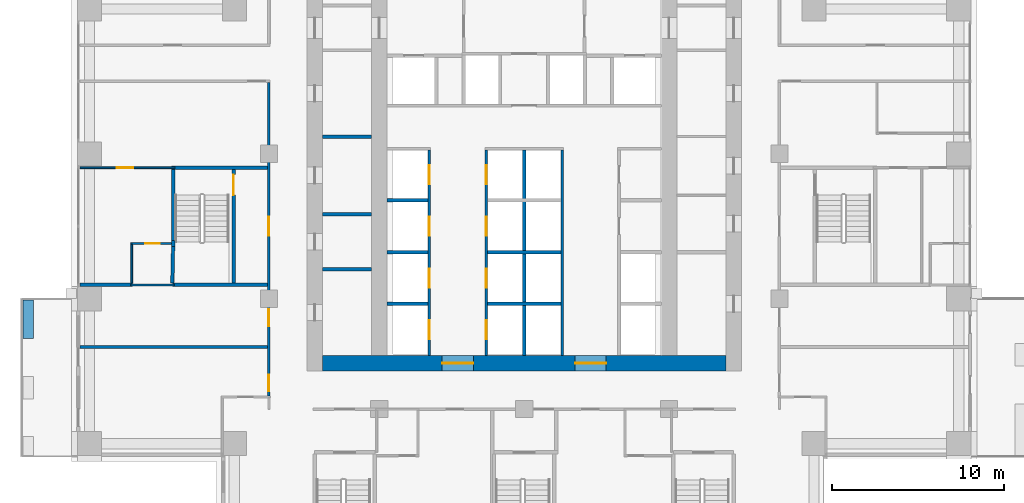
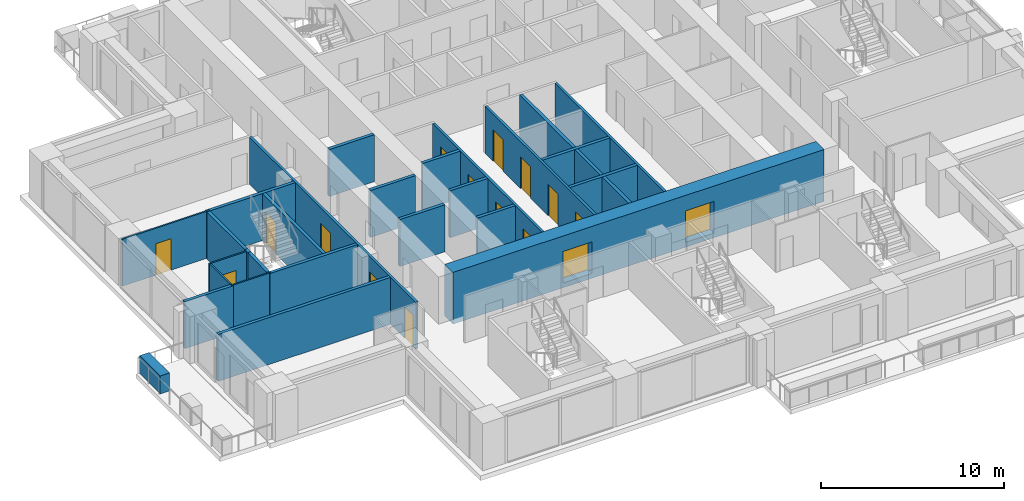
# One storey, part 9 of 17: 27 walls, 16 doors, 16 openings.
"""IFC4 building model written with IfcOpenShell, lengths in metres."""

import ifcopenshell
import ifcopenshell.guid

model = None  # the IFC model being written
_history = None  # IfcOwnerHistory: only IFC2X3 demands one
_inside = {}  # id of a spatial element -> (the spatial element, [elements in it])
_under = {}  # id of a project, library or spatial element -> (it, [spatial elements below it])
_declared = {}  # id of a project -> (the project, [libraries it declares])
_typed = {}  # id of a type object -> (the type object, [elements of that type])
_made_of = {}  # id of a material, layer set ... -> (it, [elements and type objects made of it])


def new_model(schema):
    """Start an empty IFC model of exactly this schema.

    Asked for "IFC4X3", IfcOpenShell would pick the latest addendum, in which some entities
    have other attributes; the version numbers below select the first issue.
    IFC2X3 requires an IfcOwnerHistory on every rooted entity: one is made here for all.
    """
    global model, _history
    if schema == "IFC4X3":
        model = ifcopenshell.file(schema_version=(4, 3, 0, 0))
    else:
        model = ifcopenshell.file(schema=schema)
    _inside.clear()
    _under.clear()
    _declared.clear()
    _typed.clear()
    _made_of.clear()
    _history = None
    if model.schema == "IFC2X3":
        org = make("IfcOrganization", Name="unknown")
        user = make(
            "IfcPersonAndOrganization",
            ThePerson=make("IfcPerson", FamilyName="unknown"),
            TheOrganization=org,
        )
        app = make(
            "IfcApplication",
            ApplicationDeveloper=org,
            Version="unknown",
            ApplicationFullName="unknown",
            ApplicationIdentifier="unknown",
        )
        _history = make(
            "IfcOwnerHistory",
            OwningUser=user,
            OwningApplication=app,
            ChangeAction="ADDED",
            CreationDate=0,
        )
    return model


def make(cls, **values):
    """One entity of the class cls with the attributes given. An attribute that is None is left unset."""
    return model.create_entity(
        cls, **{name: value for name, value in values.items() if value is not None}
    )


def rooted(cls, **values):
    """An entity with a GlobalId (a new one), such as an element, a storey or a relation."""
    return make(cls, GlobalId=ifcopenshell.guid.new(), OwnerHistory=_history, **values)


def si_unit(unit_type, name, prefix=None):
    """IfcSIUnit, for example si_unit("LENGTHUNIT", "METRE", prefix="MILLI")."""
    return make("IfcSIUnit", UnitType=unit_type, Prefix=prefix, Name=name)


def assignment(units):
    """IfcUnitAssignment: the units of a project."""
    return None if units is None else make("IfcUnitAssignment", Units=units)


def point(xyz):
    """IfcCartesianPoint."""
    return None if xyz is None else make("IfcCartesianPoint", Coordinates=xyz)


def direction(xyz):
    """IfcDirection."""
    return None if xyz is None else make("IfcDirection", DirectionRatios=xyz)


def frame(location, z_axis=None, x_axis=None):
    """IfcAxis2Placement3D, a coordinate frame: its origin and axes. An axis left out is left unset."""
    return make(
        "IfcAxis2Placement3D",
        Location=point(location),
        Axis=direction(z_axis),
        RefDirection=direction(x_axis),
    )


def frame_2d(location, x_axis=None):
    """IfcAxis2Placement2D, a coordinate frame in the plane: its origin and x axis."""
    return make(
        "IfcAxis2Placement2D", Location=point(location), RefDirection=direction(x_axis)
    )


def origin():
    """The frame at (0, 0, 0) with its axes left unset."""
    return frame((0.0, 0.0, 0.0))


def place(relative_to, where):
    """IfcLocalPlacement: puts the frame where relative to a parent placement (None: the world)."""
    return make(
        "IfcLocalPlacement", PlacementRelTo=relative_to, RelativePlacement=where
    )


def context(
    kind, dimensions, precision=None, world=None, true_north=None, identifier=None
):
    """IfcGeometricRepresentationContext, for example the 3D "Model" context."""
    return make(
        "IfcGeometricRepresentationContext",
        ContextIdentifier=identifier,
        ContextType=kind,
        CoordinateSpaceDimension=dimensions,
        Precision=precision,
        WorldCoordinateSystem=world,
        TrueNorth=true_north,
    )


def subcontext(parent, identifier, kind, view, scale=None):
    """IfcGeometricRepresentationSubContext, for example "Body" below "Model"."""
    return make(
        "IfcGeometricRepresentationSubContext",
        ContextIdentifier=identifier,
        ContextType=kind,
        ParentContext=parent,
        TargetScale=scale,
        TargetView=view,
    )


def project(units=None, contexts=None):
    """IfcProject with its units and contexts."""
    return rooted(
        "IfcProject",
        Name="project",
        RepresentationContexts=contexts,
        UnitsInContext=assignment(units),
    )


def spatial(cls, under=None, at=None, **own):
    """A site, building, storey or space (cls), placed at a placement, below another one or the project."""
    s = rooted(cls, ObjectPlacement=at, **own)
    if under is not None:
        _under.setdefault(under.id(), (under, []))[1].append(s)
    return s


def profile(cls, at=None, kind="AREA", **sizes):
    """A parametric profile (cls). Its sizes go by their IFC names, for example OverallWidth=200.0."""
    return make(cls, ProfileType=kind, Position=at, **sizes)


def rectangle(**sizes):
    """IfcRectangleProfileDef."""
    return profile("IfcRectangleProfileDef", **sizes)


def extrude(swept, where, along, depth):
    """IfcExtrudedAreaSolid: the profile swept, set in the frame where, extruded along a direction by depth."""
    return make(
        "IfcExtrudedAreaSolid",
        SweptArea=swept,
        Position=where,
        ExtrudedDirection=direction(along),
        Depth=depth,
    )


def shape(context_of_items, identifier, shape_type, items):
    """IfcShapeRepresentation: the items that make up one representation, for example the "Body"."""
    return make(
        "IfcShapeRepresentation",
        ContextOfItems=context_of_items,
        RepresentationIdentifier=identifier,
        RepresentationType=shape_type,
        Items=items,
    )


def material(Name=None, Category=None):
    """IfcMaterial."""
    return make("IfcMaterial", Name=Name, Category=Category)


def layer(
    of_material, thickness, ventilated=None, Name=None, Category=None, Priority=None
):
    """IfcMaterialLayer: one layer of a wall or slab, of a material (None: an air gap)."""
    return make(
        "IfcMaterialLayer",
        Material=of_material,
        LayerThickness=thickness,
        IsVentilated=ventilated,
        Name=Name,
        Category=Category,
        Priority=Priority,
    )


def layer_set(layers, Name=None):
    """IfcMaterialLayerSet."""
    return make("IfcMaterialLayerSet", MaterialLayers=layers, LayerSetName=Name)


def made_of(thing, what):
    """Note that an element or type object is made of a material, layer set ...; save() writes the relation."""
    if what is not None:
        _made_of.setdefault(what.id(), (what, []))[1].append(thing)
    return thing


def type_object(cls, material=None, **own):
    """A type object (cls), such as IfcWallType, which elements share."""
    return made_of(rooted(cls, **own), material)


def element(
    cls,
    number,
    at=None,
    inside=None,
    cuts=None,
    type_object=None,
    material=None,
    context=None,
    identifier="Body",
    shape_type=None,
    held_by="IfcProductDefinitionShape",
    body=None,
    shapes=None,
    **own,
):
    """One element of the class cls, such as IfcWall. Its Tag is "e" and its number.

    at: its placement. inside: the storey or other place that contains it. cuts: it is an
    opening in that element (IfcRelVoidsElement). A single representation is given by context,
    identifier, shape_type and body (its items); several are given by shapes. held_by: the class
    of the entity that holds the representations. save() writes the other relations.
    """
    e = rooted(cls, Tag="e%d" % number, ObjectPlacement=at, **own)
    if body is not None:
        shapes = [shape(context, identifier, shape_type, body)]
    if shapes is not None:
        e.Representation = make(held_by, Representations=shapes)
    if inside is not None:
        _inside.setdefault(inside.id(), (inside, []))[1].append(e)
    if cuts is not None:
        rooted(
            "IfcRelVoidsElement", RelatingBuildingElement=cuts, RelatedOpeningElement=e
        )
    if type_object is not None:
        _typed.setdefault(type_object.id(), (type_object, []))[1].append(e)
    return made_of(e, material)


def fill(opening, filler):
    """IfcRelFillsElement: the door or window that sits in an opening."""
    return rooted(
        "IfcRelFillsElement",
        RelatingOpeningElement=opening,
        RelatedBuildingElement=filler,
    )


def aggregate(whole, parts):
    """IfcRelAggregates: a whole, such as a stair, and the parts it consists of."""
    return rooted("IfcRelAggregates", RelatingObject=whole, RelatedObjects=parts)


def save(model, path):
    """Write the relations noted so far, then the file.

    IfcRelAggregates (storeys below a building ...), IfcRelContainedInSpatialStructure (elements
    in a storey), IfcRelDefinesByType, IfcRelAssociatesMaterial and IfcRelDeclares: one each for
    every whole, place, type object, material and project.
    """
    for whole, parts in _under.values():
        aggregate(whole, parts)
    for where, things in _inside.values():
        rooted(
            "IfcRelContainedInSpatialStructure",
            RelatedElements=things,
            RelatingStructure=where,
        )
    for kind, things in _typed.values():
        rooted("IfcRelDefinesByType", RelatedObjects=things, RelatingType=kind)
    for what, things in _made_of.values():
        rooted("IfcRelAssociatesMaterial", RelatedObjects=things, RelatingMaterial=what)
    for by, libraries in _declared.values():
        rooted("IfcRelDeclares", RelatingContext=by, RelatedDefinitions=libraries)
    model.write(path)


model = new_model("IFC4")

# Units and contexts
model_context = context("Model", 3, precision=1e-05, world=origin(), true_north=direction((0.0, 1.0)))
body_context = subcontext(model_context, "Body", "Model", "MODEL_VIEW")
ifc_project = project(units=[si_unit("LENGTHUNIT", "METRE"), si_unit("AREAUNIT", "SQUARE_METRE"), si_unit("VOLUMEUNIT", "CUBIC_METRE"), si_unit("PLANEANGLEUNIT", "RADIAN"), si_unit("MASSUNIT", "GRAM", prefix="KILO")], contexts=[model_context])

# Site, building, storey
site_placement = place(None, origin())
site = spatial("IfcSite", under=ifc_project, at=site_placement, CompositionType="ELEMENT")
building_placement = place(site_placement, origin())
building = spatial("IfcBuilding", under=site, at=building_placement, Name="Vermilion Ogive Tower", CompositionType="ELEMENT")
storey_placement = place(building_placement, frame((0.0, 0.0, 65.550048828125)))
storey = spatial("IfcBuildingStorey", under=building, at=storey_placement, Name="L15", CompositionType="ELEMENT", Elevation=65.550048828125)

# Wall, openings, doors
ifc_material_1 = material(Name="Concrete B80", Category="concrete")
ifc_layer_1 = layer(ifc_material_1, 0.89990234375)
ifc_layer_set_1 = layer_set([ifc_layer_1], Name="Core wall 900 B80")
wall_type_1 = type_object("IfcWallType", Name="Core wall 900 B80", PredefinedType="SHEAR", material=ifc_layer_set_1)
wall_1_placement = place(storey_placement, frame((-11.699951171875, -7.949951171875, -0.320068359375), z_axis=(0.0, 0.0, 1.0), x_axis=(1.0, 0.0, 0.0)))
wall_1 = element("IfcWall", 1, at=wall_1_placement, inside=storey, type_object=wall_type_1, Name="L15-CORE-S", PredefinedType="SHEAR", context=body_context, shape_type="SweptSolid", body=[
    extrude(rectangle(XDim=23.39990234375, YDim=0.89990234375, at=frame_2d((11.699951171875, 0.0))), origin(), (0.0, 0.0, 1.0), 3.449951171875),
])
opening_1_placement = place(wall_1_placement, frame((6.949951171875, 0.0, 0.320068359375)))
opening_1 = element("IfcOpeningElement", 2, at=opening_1_placement, cuts=wall_1, Name="Opening DAH009", PredefinedType="OPENING", context=body_context, shape_type="SweptSolid", body=[
    extrude(rectangle(XDim=1.800048828125, YDim=2.10009765625, at=frame_2d((0.89990234375, 1.050048828125))), frame((0.0, 0.4599609375, 0.0), z_axis=(0.0, -1.0, 0.0), x_axis=(1.0, 0.0, 0.0)), (0.0, 0.0, 1.0), 0.919921875),
])
opening_2_placement = place(wall_1_placement, frame((14.64990234375, 0.0, 0.320068359375)))
opening_2 = element("IfcOpeningElement", 3, at=opening_2_placement, cuts=wall_1, Name="Opening DAH010", PredefinedType="OPENING", context=body_context, shape_type="SweptSolid", body=[
    extrude(rectangle(XDim=1.800048828125, YDim=2.10009765625, at=frame_2d((0.89990234375, 1.050048828125))), frame((0.0, 0.4599609375, 0.0), z_axis=(0.0, -1.0, 0.0), x_axis=(1.0, 0.0, 0.0)), (0.0, 0.0, 1.0), 0.919921875),
])
ifc_material_2 = material(Name="Timber door leaf", Category="wood")
door_type_1 = type_object("IfcDoorType", Name="Core entry door 1800 x 2100 FD60S", OperationType="DOUBLE_DOOR_SINGLE_SWING", PredefinedType="DOOR", material=ifc_material_2)
door_1_placement = place(opening_1_placement, origin())
door_1 = element("IfcDoor", 4, at=door_1_placement, inside=storey, type_object=door_type_1, Name="L15-CK-XD1", OperationType="SINGLE_SWING_LEFT", OverallHeight=2.10009765625, OverallWidth=1.800048828125, PredefinedType="DOOR", context=body_context, shape_type="SweptSolid", body=[
    extrude(rectangle(XDim=1.800048828125, YDim=2.10009765625, at=frame_2d((0.89990234375, 1.050048828125))), frame((0.0, 0.02490234375, 0.0), z_axis=(0.0, -1.0, 0.0), x_axis=(1.0, 0.0, 0.0)), (0.0, 0.0, 1.0), 0.050048828125),
])
fill(opening_1, door_1)
door_2_placement = place(opening_2_placement, origin())
door_2 = element("IfcDoor", 5, at=door_2_placement, inside=storey, type_object=door_type_1, Name="L15-CK-XD2", OperationType="SINGLE_SWING_LEFT", OverallHeight=2.10009765625, OverallWidth=1.800048828125, PredefinedType="DOOR", context=body_context, shape_type="SweptSolid", body=[
    extrude(rectangle(XDim=1.800048828125, YDim=2.10009765625, at=frame_2d((0.89990234375, 1.050048828125))), frame((0.0, 0.02490234375, 0.0), z_axis=(0.0, -1.0, 0.0), x_axis=(1.0, 0.0, 0.0)), (0.0, 0.0, 1.0), 0.050048828125),
])
fill(opening_2, door_2)

# Wall
ifc_material_3 = material(Name="Gypsum board partition on steel studs", Category="steel")
ifc_layer_2 = layer(ifc_material_3, 0.10009765625)
ifc_layer_set_2 = layer_set([ifc_layer_2], Name="Partition 100 bath")
wall_type_2 = type_object("IfcWallType", Name="Partition 100 bath", PredefinedType="PARTITIONING", material=ifc_layer_set_2)
wall_2_placement = place(storey_placement, frame((-22.800048828125, -3.39990234375, 0.0), z_axis=(0.0, 0.0, 1.0), x_axis=(1.0, 0.0, 0.0)))
element("IfcWall", 6, at=wall_2_placement, inside=storey, type_object=wall_type_2, Name="L15-W-W017", PredefinedType="PARTITIONING", context=body_context, shape_type="SweptSolid", body=[
    extrude(rectangle(XDim=2.5, YDim=0.10009765625, at=frame_2d((1.25, 0.0))), origin(), (0.0, 0.0, 1.0), 3.1298828125),
])

# Wall, opening, door
wall_3_placement = place(storey_placement, frame((-22.800048828125, -1.0, 0.0), z_axis=(0.0, 0.0, 1.0), x_axis=(1.0, 0.0, 0.0)))
wall_3 = element("IfcWall", 7, at=wall_3_placement, inside=storey, type_object=wall_type_2, Name="L15-W-W021", PredefinedType="PARTITIONING", context=body_context, shape_type="SweptSolid", body=[
    extrude(rectangle(XDim=2.35009765625, YDim=0.10009765625, at=frame_2d((1.175048828125, 0.0))), origin(), (0.0, 0.0, 1.0), 3.1298828125),
])
opening_3_placement = place(wall_3_placement, frame((0.824951171875, 0.0, 0.0)))
opening_3 = element("IfcOpeningElement", 8, at=opening_3_placement, cuts=wall_3, Name="Opening D1G5005", PredefinedType="OPENING", context=body_context, shape_type="SweptSolid", body=[
    extrude(rectangle(XDim=0.85009765625, YDim=2.10009765625, at=frame_2d((0.425048828125, 1.050048828125))), frame((0.0, 0.06005859375, 0.0), z_axis=(0.0, -1.0, 0.0), x_axis=(1.0, 0.0, 0.0)), (0.0, 0.0, 1.0), 0.1201171875),
])
ifc_material_4 = material(Name="Timber door leaf", Category="wood")
door_type_2 = type_object("IfcDoorType", Name="Bath door 850 x 2100 FD30", OperationType="SINGLE_SWING_LEFT", PredefinedType="DOOR", material=ifc_material_4)
door_3_placement = place(opening_3_placement, origin())
door_3 = element("IfcDoor", 9, at=door_3_placement, inside=storey, type_object=door_type_2, Name="L15-D-D005", OperationType="SINGLE_SWING_RIGHT", OverallHeight=2.10009765625, OverallWidth=0.85009765625, PredefinedType="DOOR", context=body_context, shape_type="SweptSolid", body=[
    extrude(rectangle(XDim=0.85009765625, YDim=2.10009765625, at=frame_2d((0.425048828125, 1.050048828125))), frame((0.0, 0.02490234375, 0.0), z_axis=(0.0, -1.0, 0.0), x_axis=(1.0, 0.0, 0.0)), (0.0, 0.0, 1.0), 0.050048828125),
])
fill(opening_3, door_3)

# Wall
wall_4_placement = place(storey_placement, frame((-22.75, -3.300048828125, 0.0), z_axis=(0.0, 0.0, 1.0), x_axis=(0.0, 1.0, 0.0)))
element("IfcWall", 10, at=wall_4_placement, inside=storey, type_object=wall_type_2, Name="L15-W-W036", PredefinedType="PARTITIONING", context=body_context, shape_type="SweptSolid", body=[
    extrude(rectangle(XDim=2.25, YDim=0.10009765625, at=frame_2d((1.125, 0.0))), origin(), (0.0, 0.0, 1.0), 3.1298828125),
])

# Wall, opening, door
ifc_material_5 = material(Name="Gypsum board partition on steel studs", Category="steel")
ifc_layer_3 = layer(ifc_material_5, 0.10009765625)
ifc_layer_set_3 = layer_set([ifc_layer_3], Name="Partition 100 inner")
wall_type_3 = type_object("IfcWallType", Name="Partition 100 inner", PredefinedType="PARTITIONING", material=ifc_layer_set_3)
wall_5_placement = place(storey_placement, frame((-25.75, 3.39990234375, 0.0), z_axis=(0.0, 0.0, 1.0), x_axis=(1.0, 0.0, 0.0)))
wall_5 = element("IfcWall", 11, at=wall_5_placement, inside=storey, type_object=wall_type_3, Name="L15-W-W023", PredefinedType="PARTITIONING", context=body_context, shape_type="SweptSolid", body=[
    extrude(rectangle(XDim=5.5, YDim=0.10009765625, at=frame_2d((2.75, 0.0))), origin(), (0.0, 0.0, 1.0), 3.1298828125),
])
opening_4_placement = place(wall_5_placement, frame((2.125, 0.0, 0.0)))
opening_4 = element("IfcOpeningElement", 12, at=opening_4_placement, cuts=wall_5, Name="Opening D1G5004", PredefinedType="OPENING", context=body_context, shape_type="SweptSolid", body=[
    extrude(rectangle(XDim=0.949951171875, YDim=2.10009765625, at=frame_2d((0.47509765625, 1.050048828125))), frame((0.0, 0.06005859375, 0.0), z_axis=(0.0, -1.0, 0.0), x_axis=(1.0, 0.0, 0.0)), (0.0, 0.0, 1.0), 0.1201171875),
])
ifc_material_6 = material(Name="Timber door leaf", Category="wood")
door_type_3 = type_object("IfcDoorType", Name="Inner door 950 x 2100 FD30", OperationType="SINGLE_SWING_LEFT", PredefinedType="DOOR", material=ifc_material_6)
door_4_placement = place(opening_4_placement, origin())
door_4 = element("IfcDoor", 13, at=door_4_placement, inside=storey, type_object=door_type_3, Name="L15-D-D004", OperationType="SINGLE_SWING_LEFT", OverallHeight=2.10009765625, OverallWidth=0.949951171875, PredefinedType="DOOR", context=body_context, shape_type="SweptSolid", body=[
    extrude(rectangle(XDim=0.949951171875, YDim=2.10009765625, at=frame_2d((0.47509765625, 1.050048828125))), frame((0.0, 0.02490234375, 0.0), z_axis=(0.0, -1.0, 0.0), x_axis=(1.0, 0.0, 0.0)), (0.0, 0.0, 1.0), 0.050048828125),
])
fill(opening_4, door_4)

# Wall, openings, doors
ifc_material_7 = material(Name="Gypsum board partition on steel studs", Category="steel")
ifc_layer_4 = layer(ifc_material_7, 0.14990234375)
ifc_layer_set_4 = layer_set([ifc_layer_4], Name="Partition 150 corridor")
wall_type_4 = type_object("IfcWallType", Name="Partition 150 corridor", PredefinedType="PARTITIONING", material=ifc_layer_set_4)
wall_6_placement = place(storey_placement, frame((-14.800048828125, -9.85009765625, 0.0), z_axis=(0.0, 0.0, 1.0), x_axis=(0.0, 1.0, 0.0)))
wall_6 = element("IfcWall", 14, at=wall_6_placement, inside=storey, type_object=wall_type_4, Name="L15-W-W042", PredefinedType="PARTITIONING", context=body_context, shape_type="SweptSolid", body=[
    extrude(rectangle(XDim=18.175048828125, YDim=0.14990234375, at=frame_2d((9.08740234375, 0.0))), origin(), (0.0, 0.0, 1.0), 3.1298828125),
])
opening_5_placement = place(wall_6_placement, frame((0.300048828125, 0.0, 0.0)))
opening_5 = element("IfcOpeningElement", 15, at=opening_5_placement, cuts=wall_6, Name="Opening D1G5001", PredefinedType="OPENING", context=body_context, shape_type="SweptSolid", body=[
    extrude(rectangle(XDim=0.949951171875, YDim=2.10009765625, at=frame_2d((0.47509765625, 1.050048828125))), frame((0.0, 0.0849609375, 0.0), z_axis=(0.0, -1.0, 0.0), x_axis=(1.0, 0.0, 0.0)), (0.0, 0.0, 1.0), 0.169921875),
])
opening_6_placement = place(wall_6_placement, frame((9.300048828125, 0.0, 0.0)))
opening_6 = element("IfcOpeningElement", 16, at=opening_6_placement, cuts=wall_6, Name="Opening D1G5029", PredefinedType="OPENING", context=body_context, shape_type="SweptSolid", body=[
    extrude(rectangle(XDim=1.10009765625, YDim=2.10009765625, at=frame_2d((0.550048828125, 1.050048828125))), frame((0.0, 0.0849609375, 0.0), z_axis=(0.0, -1.0, 0.0), x_axis=(1.0, 0.0, 0.0)), (0.0, 0.0, 1.0), 0.169921875),
])
opening_7_placement = place(wall_6_placement, frame((4.050048828125, 0.0, 0.0)))
opening_7 = element("IfcOpeningElement", 17, at=opening_7_placement, cuts=wall_6, Name="Opening D1G5031", PredefinedType="OPENING", context=body_context, shape_type="SweptSolid", body=[
    extrude(rectangle(XDim=1.0, YDim=2.10009765625, at=frame_2d((0.5, 1.050048828125))), frame((0.0, 0.0849609375, 0.0), z_axis=(0.0, -1.0, 0.0), x_axis=(1.0, 0.0, 0.0)), (0.0, 0.0, 1.0), 0.169921875),
])
ifc_material_8 = material(Name="Timber door leaf", Category="wood")
door_type_4 = type_object("IfcDoorType", Name="Stair door 1100 x 2100 FD60S", OperationType="SINGLE_SWING_LEFT", PredefinedType="DOOR", material=ifc_material_8)
door_5_placement = place(opening_6_placement, origin())
door_5 = element("IfcDoor", 18, at=door_5_placement, inside=storey, type_object=door_type_4, Name="L15-D-D029", OperationType="SINGLE_SWING_RIGHT", OverallHeight=2.10009765625, OverallWidth=1.10009765625, PredefinedType="DOOR", context=body_context, shape_type="SweptSolid", body=[
    extrude(rectangle(XDim=1.10009765625, YDim=2.10009765625, at=frame_2d((0.550048828125, 1.050048828125))), frame((0.0, 0.02490234375, 0.0), z_axis=(0.0, -1.0, 0.0), x_axis=(1.0, 0.0, 0.0)), (0.0, 0.0, 1.0), 0.050048828125),
])
fill(opening_6, door_5)
ifc_material_9 = material(Name="Timber door leaf", Category="wood")
door_type_5 = type_object("IfcDoorType", Name="Unit door 1000 x 2100 FD30S", OperationType="SINGLE_SWING_LEFT", PredefinedType="DOOR", material=ifc_material_9)
door_6_placement = place(opening_7_placement, origin())
door_6 = element("IfcDoor", 19, at=door_6_placement, inside=storey, type_object=door_type_5, Name="L15-D-D031", OperationType="SINGLE_SWING_LEFT", OverallHeight=2.10009765625, OverallWidth=1.0, PredefinedType="DOOR", context=body_context, shape_type="SweptSolid", body=[
    extrude(rectangle(XDim=1.0, YDim=2.10009765625, at=frame_2d((0.5, 1.050048828125))), frame((0.0, 0.02490234375, 0.0), z_axis=(0.0, -1.0, 0.0), x_axis=(1.0, 0.0, 0.0)), (0.0, 0.0, 1.0), 0.050048828125),
])
fill(opening_7, door_6)
ifc_material_10 = material(Name="Timber door leaf", Category="wood")
door_type_6 = type_object("IfcDoorType", Name="Unit door 950 x 2100 FD30S", OperationType="SINGLE_SWING_LEFT", PredefinedType="DOOR", material=ifc_material_10)
door_7_placement = place(opening_5_placement, origin())
door_7 = element("IfcDoor", 20, at=door_7_placement, inside=storey, type_object=door_type_6, Name="L15-D-D001", OperationType="SINGLE_SWING_LEFT", OverallHeight=2.10009765625, OverallWidth=0.949951171875, PredefinedType="DOOR", context=body_context, shape_type="SweptSolid", body=[
    extrude(rectangle(XDim=0.949951171875, YDim=2.10009765625, at=frame_2d((0.47509765625, 1.050048828125))), frame((0.0, 0.02490234375, 0.0), z_axis=(0.0, -1.0, 0.0), x_axis=(1.0, 0.0, 0.0)), (0.0, 0.0, 1.0), 0.050048828125),
])
fill(opening_5, door_7)

wall_7_placement = place(storey_placement, frame((-5.5, -7.4990234375, 0.0), z_axis=(0.0, 0.0, 1.0), x_axis=(0.0, 1.0, 0.0)))
wall_7 = element("IfcWall", 21, at=wall_7_placement, inside=storey, type_object=wall_type_4, Name="L15-CK-W-W022", PredefinedType="PARTITIONING", context=body_context, shape_type="SweptSolid", body=[
    extrude(rectangle(XDim=11.924072265625, YDim=0.14990234375, at=frame_2d((5.9619140625, 0.0))), origin(), (0.0, 0.0, 1.0), 3.1298828125),
])
opening_8_placement = place(wall_7_placement, frame((0.948974609375, 0.0, 0.0)))
opening_8 = element("IfcOpeningElement", 22, at=opening_8_placement, cuts=wall_7, Name="Opening DAA102", PredefinedType="OPENING", context=body_context, shape_type="SweptSolid", body=[
    extrude(rectangle(XDim=1.10009765625, YDim=2.10009765625, at=frame_2d((0.550048828125, 1.050048828125))), frame((0.0, 0.0849609375, 0.0), z_axis=(0.0, -1.0, 0.0), x_axis=(1.0, 0.0, 0.0)), (0.0, 0.0, 1.0), 0.169921875),
])
opening_9_placement = place(wall_7_placement, frame((3.948974609375, 0.0, 0.0)))
opening_9 = element("IfcOpeningElement", 23, at=opening_9_placement, cuts=wall_7, Name="Opening DAA105", PredefinedType="OPENING", context=body_context, shape_type="SweptSolid", body=[
    extrude(rectangle(XDim=1.10009765625, YDim=2.10009765625, at=frame_2d((0.550048828125, 1.050048828125))), frame((0.0, 0.0849609375, 0.0), z_axis=(0.0, -1.0, 0.0), x_axis=(1.0, 0.0, 0.0)), (0.0, 0.0, 1.0), 0.169921875),
])
opening_10_placement = place(wall_7_placement, frame((6.948974609375, 0.0, 0.0)))
opening_10 = element("IfcOpeningElement", 24, at=opening_10_placement, cuts=wall_7, Name="Opening DAA106", PredefinedType="OPENING", context=body_context, shape_type="SweptSolid", body=[
    extrude(rectangle(XDim=1.10009765625, YDim=2.10009765625, at=frame_2d((0.550048828125, 1.050048828125))), frame((0.0, 0.0849609375, 0.0), z_axis=(0.0, -1.0, 0.0), x_axis=(1.0, 0.0, 0.0)), (0.0, 0.0, 1.0), 0.169921875),
])
opening_11_placement = place(wall_7_placement, frame((9.948974609375, 0.0, 0.0)))
opening_11 = element("IfcOpeningElement", 25, at=opening_11_placement, cuts=wall_7, Name="Opening DAA107", PredefinedType="OPENING", context=body_context, shape_type="SweptSolid", body=[
    extrude(rectangle(XDim=1.10009765625, YDim=2.10009765625, at=frame_2d((0.550048828125, 1.050048828125))), frame((0.0, 0.0849609375, 0.0), z_axis=(0.0, -1.0, 0.0), x_axis=(1.0, 0.0, 0.0)), (0.0, 0.0, 1.0), 0.169921875),
])
ifc_material_11 = material(Name="Stainless steel", Category="steel")
door_type_7 = type_object("IfcDoorType", Name="Lift landing door 1100 x 2100", OperationType="SLIDING_TO_LEFT", PredefinedType="DOOR", material=ifc_material_11)
door_8_placement = place(opening_8_placement, origin())
door_8 = element("IfcDoor", 26, at=door_8_placement, inside=storey, type_object=door_type_7, Name="L15-CK-D-D001", OperationType="SLIDING_TO_RIGHT", OverallHeight=2.10009765625, OverallWidth=1.10009765625, PredefinedType="DOOR", context=body_context, shape_type="SweptSolid", body=[
    extrude(rectangle(XDim=1.10009765625, YDim=2.10009765625, at=frame_2d((0.550048828125, 1.050048828125))), frame((0.0, 0.02490234375, 0.0), z_axis=(0.0, -1.0, 0.0), x_axis=(1.0, 0.0, 0.0)), (0.0, 0.0, 1.0), 0.050048828125),
])
fill(opening_8, door_8)
door_9_placement = place(opening_9_placement, origin())
door_9 = element("IfcDoor", 27, at=door_9_placement, inside=storey, type_object=door_type_7, Name="L15-CK-D-D002", OperationType="SLIDING_TO_RIGHT", OverallHeight=2.10009765625, OverallWidth=1.10009765625, PredefinedType="DOOR", context=body_context, shape_type="SweptSolid", body=[
    extrude(rectangle(XDim=1.10009765625, YDim=2.10009765625, at=frame_2d((0.550048828125, 1.050048828125))), frame((0.0, 0.02490234375, 0.0), z_axis=(0.0, -1.0, 0.0), x_axis=(1.0, 0.0, 0.0)), (0.0, 0.0, 1.0), 0.050048828125),
])
fill(opening_9, door_9)
door_10_placement = place(opening_10_placement, origin())
door_10 = element("IfcDoor", 28, at=door_10_placement, inside=storey, type_object=door_type_7, Name="L15-CK-D-D003", OperationType="SLIDING_TO_RIGHT", OverallHeight=2.10009765625, OverallWidth=1.10009765625, PredefinedType="DOOR", context=body_context, shape_type="SweptSolid", body=[
    extrude(rectangle(XDim=1.10009765625, YDim=2.10009765625, at=frame_2d((0.550048828125, 1.050048828125))), frame((0.0, 0.02490234375, 0.0), z_axis=(0.0, -1.0, 0.0), x_axis=(1.0, 0.0, 0.0)), (0.0, 0.0, 1.0), 0.050048828125),
])
fill(opening_10, door_10)
door_11_placement = place(opening_11_placement, origin())
door_11 = element("IfcDoor", 29, at=door_11_placement, inside=storey, type_object=door_type_7, Name="L15-CK-D-D004", OperationType="SLIDING_TO_RIGHT", OverallHeight=2.10009765625, OverallWidth=1.10009765625, PredefinedType="DOOR", context=body_context, shape_type="SweptSolid", body=[
    extrude(rectangle(XDim=1.10009765625, YDim=2.10009765625, at=frame_2d((0.550048828125, 1.050048828125))), frame((0.0, 0.02490234375, 0.0), z_axis=(0.0, -1.0, 0.0), x_axis=(1.0, 0.0, 0.0)), (0.0, 0.0, 1.0), 0.050048828125),
])
fill(opening_11, door_11)

wall_8_placement = place(storey_placement, frame((-2.199951171875, -7.4990234375, 0.0), z_axis=(0.0, 0.0, 1.0), x_axis=(0.0, 1.0, 0.0)))
wall_8 = element("IfcWall", 30, at=wall_8_placement, inside=storey, type_object=wall_type_4, Name="L15-CK-W-W027", PredefinedType="PARTITIONING", context=body_context, shape_type="SweptSolid", body=[
    extrude(rectangle(XDim=11.924072265625, YDim=0.14990234375, at=frame_2d((5.9619140625, 0.0))), origin(), (0.0, 0.0, 1.0), 3.1298828125),
])
opening_12_placement = place(wall_8_placement, frame((0.948974609375, 0.0, 0.0)))
opening_12 = element("IfcOpeningElement", 31, at=opening_12_placement, cuts=wall_8, Name="Opening DAA108", PredefinedType="OPENING", context=body_context, shape_type="SweptSolid", body=[
    extrude(rectangle(XDim=1.10009765625, YDim=2.10009765625, at=frame_2d((0.550048828125, 1.050048828125))), frame((0.0, 0.0849609375, 0.0), z_axis=(0.0, -1.0, 0.0), x_axis=(1.0, 0.0, 0.0)), (0.0, 0.0, 1.0), 0.169921875),
])
opening_13_placement = place(wall_8_placement, frame((3.948974609375, 0.0, 0.0)))
opening_13 = element("IfcOpeningElement", 32, at=opening_13_placement, cuts=wall_8, Name="Opening DAA109", PredefinedType="OPENING", context=body_context, shape_type="SweptSolid", body=[
    extrude(rectangle(XDim=1.10009765625, YDim=2.10009765625, at=frame_2d((0.550048828125, 1.050048828125))), frame((0.0, 0.0849609375, 0.0), z_axis=(0.0, -1.0, 0.0), x_axis=(1.0, 0.0, 0.0)), (0.0, 0.0, 1.0), 0.169921875),
])
opening_14_placement = place(wall_8_placement, frame((6.948974609375, 0.0, 0.0)))
opening_14 = element("IfcOpeningElement", 33, at=opening_14_placement, cuts=wall_8, Name="Opening DAA110", PredefinedType="OPENING", context=body_context, shape_type="SweptSolid", body=[
    extrude(rectangle(XDim=1.10009765625, YDim=2.10009765625, at=frame_2d((0.550048828125, 1.050048828125))), frame((0.0, 0.0849609375, 0.0), z_axis=(0.0, -1.0, 0.0), x_axis=(1.0, 0.0, 0.0)), (0.0, 0.0, 1.0), 0.169921875),
])
opening_15_placement = place(wall_8_placement, frame((9.948974609375, 0.0, 0.0)))
opening_15 = element("IfcOpeningElement", 34, at=opening_15_placement, cuts=wall_8, Name="Opening DAA111", PredefinedType="OPENING", context=body_context, shape_type="SweptSolid", body=[
    extrude(rectangle(XDim=1.10009765625, YDim=2.10009765625, at=frame_2d((0.550048828125, 1.050048828125))), frame((0.0, 0.0849609375, 0.0), z_axis=(0.0, -1.0, 0.0), x_axis=(1.0, 0.0, 0.0)), (0.0, 0.0, 1.0), 0.169921875),
])
door_12_placement = place(opening_12_placement, origin())
door_12 = element("IfcDoor", 35, at=door_12_placement, inside=storey, type_object=door_type_7, Name="L15-CK-D-D005", OperationType="SLIDING_TO_RIGHT", OverallHeight=2.10009765625, OverallWidth=1.10009765625, PredefinedType="DOOR", context=body_context, shape_type="SweptSolid", body=[
    extrude(rectangle(XDim=1.10009765625, YDim=2.10009765625, at=frame_2d((0.550048828125, 1.050048828125))), frame((0.0, 0.02490234375, 0.0), z_axis=(0.0, -1.0, 0.0), x_axis=(1.0, 0.0, 0.0)), (0.0, 0.0, 1.0), 0.050048828125),
])
fill(opening_12, door_12)
door_13_placement = place(opening_13_placement, origin())
door_13 = element("IfcDoor", 36, at=door_13_placement, inside=storey, type_object=door_type_7, Name="L15-CK-D-D006", OperationType="SLIDING_TO_RIGHT", OverallHeight=2.10009765625, OverallWidth=1.10009765625, PredefinedType="DOOR", context=body_context, shape_type="SweptSolid", body=[
    extrude(rectangle(XDim=1.10009765625, YDim=2.10009765625, at=frame_2d((0.550048828125, 1.050048828125))), frame((0.0, 0.02490234375, 0.0), z_axis=(0.0, -1.0, 0.0), x_axis=(1.0, 0.0, 0.0)), (0.0, 0.0, 1.0), 0.050048828125),
])
fill(opening_13, door_13)
door_14_placement = place(opening_14_placement, origin())
door_14 = element("IfcDoor", 37, at=door_14_placement, inside=storey, type_object=door_type_7, Name="L15-CK-D-D007", OperationType="SLIDING_TO_RIGHT", OverallHeight=2.10009765625, OverallWidth=1.10009765625, PredefinedType="DOOR", context=body_context, shape_type="SweptSolid", body=[
    extrude(rectangle(XDim=1.10009765625, YDim=2.10009765625, at=frame_2d((0.550048828125, 1.050048828125))), frame((0.0, 0.02490234375, 0.0), z_axis=(0.0, -1.0, 0.0), x_axis=(1.0, 0.0, 0.0)), (0.0, 0.0, 1.0), 0.050048828125),
])
fill(opening_14, door_14)
door_15_placement = place(opening_15_placement, origin())
door_15 = element("IfcDoor", 38, at=door_15_placement, inside=storey, type_object=door_type_7, Name="L15-CK-D-D008", OperationType="SLIDING_TO_RIGHT", OverallHeight=2.10009765625, OverallWidth=1.10009765625, PredefinedType="DOOR", context=body_context, shape_type="SweptSolid", body=[
    extrude(rectangle(XDim=1.10009765625, YDim=2.10009765625, at=frame_2d((0.550048828125, 1.050048828125))), frame((0.0, 0.02490234375, 0.0), z_axis=(0.0, -1.0, 0.0), x_axis=(1.0, 0.0, 0.0)), (0.0, 0.0, 1.0), 0.050048828125),
])
fill(opening_15, door_15)

# Walls
wall_9_placement = place(storey_placement, frame((2.199951171875, -7.4990234375, 0.0), z_axis=(0.0, 0.0, 1.0), x_axis=(0.0, 1.0, 0.0)))
element("IfcWall", 39, at=wall_9_placement, inside=storey, type_object=wall_type_4, Name="L15-CK-W-W034", PredefinedType="PARTITIONING", context=body_context, shape_type="SweptSolid", body=[
    extrude(rectangle(XDim=11.924072265625, YDim=0.14990234375, at=frame_2d((5.9619140625, 0.0))), origin(), (0.0, 0.0, 1.0), 3.1298828125),
])
ifc_material_12 = material(Name="Gypsum board partition on steel studs", Category="steel")
ifc_layer_5 = layer(ifc_material_12, 0.199951171875)
ifc_layer_set_5 = layer_set([ifc_layer_5], Name="Partition 200 party")
wall_type_5 = type_object("IfcWallType", Name="Partition 200 party", PredefinedType="PARTITIONING", material=ifc_layer_set_5)
wall_10_placement = place(storey_placement, frame((-25.75, -7.0, 0.0), z_axis=(0.0, 0.0, 1.0), x_axis=(1.0, 0.0, 0.0)))
element("IfcWall", 40, at=wall_10_placement, inside=storey, type_object=wall_type_5, Name="L15-W-W014", PredefinedType="PARTITIONING", context=body_context, shape_type="SweptSolid", body=[
    extrude(rectangle(XDim=10.875, YDim=0.199951171875, at=frame_2d((5.4375, 0.0))), origin(), (0.0, 0.0, 1.0), 3.1298828125),
])
wall_11_placement = place(storey_placement, frame((-25.75, -3.39990234375, 0.0), z_axis=(0.0, 0.0, 1.0), x_axis=(1.0, 0.0, 0.0)))
element("IfcWall", 41, at=wall_11_placement, inside=storey, type_object=wall_type_5, Name="L15-W-W016", PredefinedType="PARTITIONING", context=body_context, shape_type="SweptSolid", body=[
    extrude(rectangle(XDim=3.050048828125, YDim=0.199951171875, at=frame_2d((1.52490234375, 0.0))), origin(), (0.0, 0.0, 1.0), 3.1298828125),
])
wall_12_placement = place(storey_placement, frame((-7.948974609375, -4.5, 0.0), z_axis=(0.0, 0.0, 1.0), x_axis=(1.0, 0.0, 0.0)))
element("IfcWall", 42, at=wall_12_placement, inside=storey, type_object=wall_type_5, Name="L15-CK-W-W001", PredefinedType="PARTITIONING", context=body_context, shape_type="SweptSolid", body=[
    extrude(rectangle(XDim=2.3740234375, YDim=0.199951171875, at=frame_2d((1.18701171875, 0.0))), origin(), (0.0, 0.0, 1.0), 3.1298828125),
])
wall_13_placement = place(storey_placement, frame((-2.125, -4.5, 0.0), z_axis=(0.0, 0.0, 1.0), x_axis=(1.0, 0.0, 0.0)))
element("IfcWall", 43, at=wall_13_placement, inside=storey, type_object=wall_type_5, Name="L15-CK-W-W002", PredefinedType="PARTITIONING", context=body_context, shape_type="SweptSolid", body=[
    extrude(rectangle(XDim=4.25, YDim=0.199951171875, at=frame_2d((2.125, 0.0))), origin(), (0.0, 0.0, 1.0), 3.1298828125),
])
wall_14_placement = place(storey_placement, frame((-7.948974609375, -1.5, 0.0), z_axis=(0.0, 0.0, 1.0), x_axis=(1.0, 0.0, 0.0)))
element("IfcWall", 44, at=wall_14_placement, inside=storey, type_object=wall_type_5, Name="L15-CK-W-W004", PredefinedType="PARTITIONING", context=body_context, shape_type="SweptSolid", body=[
    extrude(rectangle(XDim=2.3740234375, YDim=0.199951171875, at=frame_2d((1.18701171875, 0.0))), origin(), (0.0, 0.0, 1.0), 3.1298828125),
])
wall_15_placement = place(storey_placement, frame((-2.125, -1.5, 0.0), z_axis=(0.0, 0.0, 1.0), x_axis=(1.0, 0.0, 0.0)))
element("IfcWall", 45, at=wall_15_placement, inside=storey, type_object=wall_type_5, Name="L15-CK-W-W005", PredefinedType="PARTITIONING", context=body_context, shape_type="SweptSolid", body=[
    extrude(rectangle(XDim=4.25, YDim=0.199951171875, at=frame_2d((2.125, 0.0))), origin(), (0.0, 0.0, 1.0), 3.1298828125),
])
wall_16_placement = place(storey_placement, frame((-7.948974609375, 1.5, 0.0), z_axis=(0.0, 0.0, 1.0), x_axis=(1.0, 0.0, 0.0)))
element("IfcWall", 46, at=wall_16_placement, inside=storey, type_object=wall_type_5, Name="L15-CK-W-W007", PredefinedType="PARTITIONING", context=body_context, shape_type="SweptSolid", body=[
    extrude(rectangle(XDim=2.3740234375, YDim=0.199951171875, at=frame_2d((1.18701171875, 0.0))), origin(), (0.0, 0.0, 1.0), 3.1298828125),
])
wall_17_placement = place(storey_placement, frame((0.0, -7.4990234375, 0.0), z_axis=(0.0, 0.0, 1.0), x_axis=(0.0, 1.0, 0.0)))
element("IfcWall", 47, at=wall_17_placement, inside=storey, type_object=wall_type_5, Name="L15-CK-W-W030", PredefinedType="PARTITIONING", context=body_context, shape_type="SweptSolid", body=[
    extrude(rectangle(XDim=11.924072265625, YDim=0.199951171875, at=frame_2d((5.9619140625, 0.0))), origin(), (0.0, 0.0, 1.0), 3.1298828125),
])
for number, where, z_axis, x_axis, name in (
    (48, (-11.698974609375, -2.5, 0.0), (0.0, 0.0, 1.0), (1.0, 0.0, 0.0), "L15-CKW-W-W001"),
    (49, (-11.698974609375, 0.699951171875, 0.0), (0.0, 0.0, 1.0), (1.0, 0.0, 0.0), "L15-CKW-W-W002"),
    (50, (-11.698974609375, 5.199951171875, 0.0), (0.0, 0.0, 1.0), (1.0, 0.0, 0.0), "L15-CKW-W-W003"),
):
    element("IfcWall", number, at=place(storey_placement, frame(where, z_axis=z_axis, x_axis=x_axis)), inside=storey, type_object=wall_type_5, Name=name, PredefinedType="PARTITIONING", context=body_context, shape_type="SweptSolid", body=[
        extrude(rectangle(XDim=2.847900390625, YDim=0.199951171875, at=frame_2d((1.423828125, 0.0))), origin(), (0.0, 0.0, 1.0), 3.1298828125),
    ])
ifc_material_13 = material(Name="Concrete B60", Category="concrete")
ifc_layer_6 = layer(ifc_material_13, 0.199951171875)
ifc_layer_set_6 = layer_set([ifc_layer_6], Name="Stair shaft wall 200 Concrete B60")
wall_type_6 = type_object("IfcWallType", Name="Stair shaft wall 200 Concrete B60", PredefinedType="SOLIDWALL", material=ifc_layer_set_6)
wall_18_placement = place(storey_placement, frame((-20.449951171875, 3.39990234375, 0.0), z_axis=(0.0, 0.0, 1.0), x_axis=(1.0, 0.0, 0.0)))
element("IfcWall", 51, at=wall_18_placement, inside=storey, type_object=wall_type_6, Name="L15-W-W024", PredefinedType="SOLIDWALL", context=body_context, shape_type="SweptSolid", body=[
    extrude(rectangle(XDim=5.574951171875, YDim=0.199951171875, at=frame_2d((2.78759765625, 0.0))), origin(), (0.0, 0.0, 1.0), 3.1298828125),
])
wall_19_placement = place(storey_placement, frame((-20.400146484375, -3.300048828125, 0.0), z_axis=(0.0, 0.0, 1.0), x_axis=(0.022687568549, 0.99974260399, 0.0)))
element("IfcWall", 52, at=wall_19_placement, inside=storey, type_object=wall_type_6, Name="L15-W-W037", PredefinedType="SOLIDWALL", context=body_context, shape_type="SweptSolid", body=[
    extrude(rectangle(XDim=2.130615234375, YDim=0.199951171875, at=frame_2d((1.0654296875, 0.0))), origin(), (0.0, 0.0, 1.0), 3.1298828125),
])
wall_20_placement = place(storey_placement, frame((-20.35009765625, -0.830078125, 0.0), z_axis=(0.0, 0.0, 1.0), x_axis=(0.0, 1.0, 0.0)))
element("IfcWall", 53, at=wall_20_placement, inside=storey, type_object=wall_type_6, Name="L15-W-W038", PredefinedType="SOLIDWALL", context=body_context, shape_type="SweptSolid", body=[
    extrude(rectangle(XDim=4.130126953125, YDim=0.199951171875, at=frame_2d((2.06494140625, 0.0))), origin(), (0.0, 0.0, 1.0), 3.1298828125),
])

# Wall, opening, door
wall_21_placement = place(storey_placement, frame((-16.85009765625, -3.300048828125, 0.0), z_axis=(0.0, 0.0, 1.0), x_axis=(0.0, 1.0, 0.0)))
wall_21 = element("IfcWall", 54, at=wall_21_placement, inside=storey, type_object=wall_type_6, Name="L15-W-W040", PredefinedType="SOLIDWALL", context=body_context, shape_type="SweptSolid", body=[
    extrude(rectangle(XDim=6.60009765625, YDim=0.199951171875, at=frame_2d((3.300048828125, 0.0))), origin(), (0.0, 0.0, 1.0), 3.1298828125),
])
opening_16_placement = place(wall_21_placement, frame((5.10009765625, 0.0, 0.0)))
opening_16 = element("IfcOpeningElement", 55, at=opening_16_placement, cuts=wall_21, Name="Opening D1G5030", PredefinedType="OPENING", context=body_context, shape_type="SweptSolid", body=[
    extrude(rectangle(XDim=1.199951171875, YDim=2.10009765625, at=frame_2d((0.60009765625, 1.050048828125))), frame((0.0, 0.10986328125, 0.0), z_axis=(0.0, -1.0, 0.0), x_axis=(1.0, 0.0, 0.0)), (0.0, 0.0, 1.0), 0.219970703125),
])
ifc_material_14 = material(Name="Timber door leaf", Category="wood")
door_type_8 = type_object("IfcDoorType", Name="Stair door 1200 x 2100 FD60S", OperationType="SINGLE_SWING_LEFT", PredefinedType="DOOR", material=ifc_material_14)
door_16_placement = place(opening_16_placement, origin())
door_16 = element("IfcDoor", 56, at=door_16_placement, inside=storey, type_object=door_type_8, Name="L15-D-D030", OperationType="SINGLE_SWING_RIGHT", OverallHeight=2.10009765625, OverallWidth=1.199951171875, PredefinedType="DOOR", context=body_context, shape_type="SweptSolid", body=[
    extrude(rectangle(XDim=1.199951171875, YDim=2.10009765625, at=frame_2d((0.60009765625, 1.050048828125))), frame((0.0, 0.02490234375, 0.0), z_axis=(0.0, -1.0, 0.0), x_axis=(1.0, 0.0, 0.0)), (0.0, 0.0, 1.0), 0.050048828125),
])
fill(opening_16, door_16)

# Walls
wall_22_placement = place(storey_placement, frame((-20.35009765625, -1.169921875, 0.0), z_axis=(0.0, 0.0, 1.0), x_axis=(0.0, 1.0, 0.0)))
element("IfcWall", 57, at=wall_22_placement, inside=storey, type_object=wall_type_6, Name="L15-SW-ST9-W1", PredefinedType="SOLIDWALL", context=body_context, shape_type="SweptSolid", body=[
    extrude(rectangle(XDim=0.33984375, YDim=0.199951171875, at=frame_2d((0.169921875, 0.0))), origin(), (0.0, 0.0, 1.0), 3.1298828125),
])
wall_23_placement = place(storey_placement, frame((-20.39990234375, -3.39990234375, 0.0), z_axis=(0.0, 0.0, 1.0), x_axis=(1.0, 0.0, 0.0)))
element("IfcWall", 58, at=wall_23_placement, inside=storey, type_object=wall_type_6, Name="L15-W-W018-A", PredefinedType="SOLIDWALL", context=body_context, shape_type="SweptSolid", body=[
    extrude(rectangle(XDim=5.52490234375, YDim=0.199951171875, at=frame_2d((2.762451171875, 0.0))), origin(), (0.0, 0.0, 1.0), 3.1298828125),
])
ifc_material_15 = material(Name="Concrete B40", Category="concrete")
ifc_layer_7 = layer(ifc_material_15, 0.60009765625)
ifc_layer_set_7 = layer_set([ifc_layer_7], Name="Structural planter")
wall_type_7 = type_object("IfcWallType", Name="Structural planter", PredefinedType="USERDEFINED", material=ifc_layer_set_7)
wall_24_placement = place(storey_placement, frame((-28.75, -4.260009765625, -0.0400390625), z_axis=(0.0, 0.0, 1.0), x_axis=(0.0, -1.0, 0.0)))
element("IfcWall", 59, at=wall_24_placement, inside=storey, type_object=wall_type_7, Name="Planter W03A1", ObjectType="PLANTER", PredefinedType="USERDEFINED", context=body_context, shape_type="SweptSolid", body=[
    extrude(rectangle(XDim=2.239990234375, YDim=0.60009765625, at=frame_2d((1.1201171875, 0.0))), origin(), (0.0, 0.0, 1.0), 1.199951171875),
])

save(model, "model.ifc")
